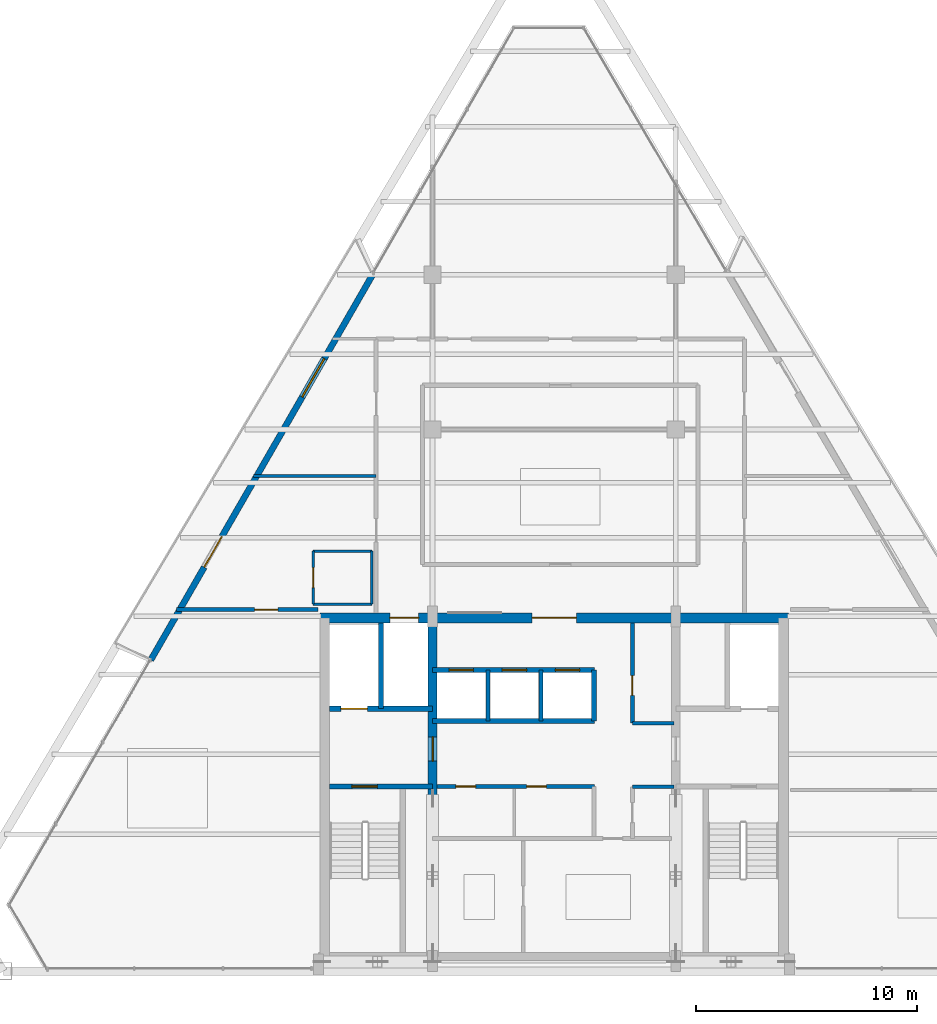
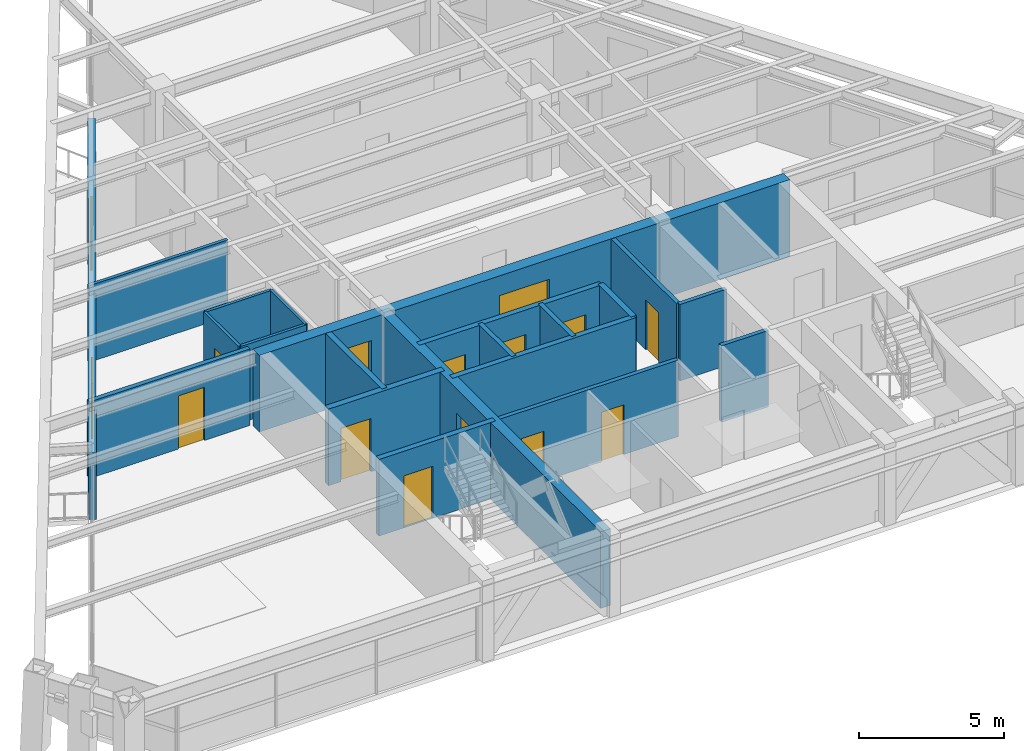
# One storey, part 9 of 13: 21 walls, 14 doors, 1 window, 15 openings.
"""IFC4 building model written with IfcOpenShell, lengths in metres."""

from ifc_helpers import new_model, si_unit, direction, frame, frame_2d, origin, place, context, subcontext, project, spatial, rectangle, extrude, source, transform, mapped, material, layer, layer_set, type_object, type_shapes, element, fill, save


model = new_model("IFC4")

# Units and contexts
model_context = context("Model", 3, precision=1e-05, world=origin(), true_north=direction((0.0, 1.0)))
body_context = subcontext(model_context, "Body", "Model", "MODEL_VIEW")
ifc_project = project(units=[si_unit("LENGTHUNIT", "METRE"), si_unit("AREAUNIT", "SQUARE_METRE"), si_unit("VOLUMEUNIT", "CUBIC_METRE"), si_unit("PLANEANGLEUNIT", "RADIAN"), si_unit("MASSUNIT", "GRAM", prefix="KILO")], contexts=[model_context])

# Site, building, storey
site_placement = place(None, origin())
site = spatial("IfcSite", under=ifc_project, at=site_placement, CompositionType="ELEMENT")
building_placement = place(site_placement, origin())
building = spatial("IfcBuilding", under=site, at=building_placement, Name="Varnakhor Terracotta Tower", CompositionType="ELEMENT")
storey_placement = place(building_placement, frame((0.0, 0.0, 283.35009765625)))
storey = spatial("IfcBuildingStorey", under=building, at=storey_placement, Name="L74", CompositionType="ELEMENT", Elevation=283.35009765625)

# Walls
ifc_material_1 = material(Name="Moisture-Resistant Tile-Backed Partition", Category="gypsum")
ifc_layer_1 = layer(ifc_material_1, 0.114990234375, Name="Moisture-Resistant Tile-Backed Partition")
ifc_layer_set_1 = layer_set([ifc_layer_1], Name="Moisture-Resistant Tile-Backed Partition")
wall_type_1 = type_object("IfcWallType", Name="WAL-BATH-115", PredefinedType="PARTITIONING", material=ifc_layer_set_1)
for number, where, z_axis, x_axis, name in (
    (1, (-10.89990234375, 16.60009765625, 0.0), (0.0, 0.0, 1.0), (1.0, 0.0, 0.0), "L74 En-Suite 1 Wall S"),
    (2, (-10.89990234375, 19.0, 0.0), (0.0, 0.0, 1.0), (1.0, 0.0, 0.0), "L74 En-Suite 1 Wall N"),
):
    element("IfcWall", number, at=place(storey_placement, frame(where, z_axis=z_axis, x_axis=x_axis)), inside=storey, type_object=wall_type_1, Name=name, PredefinedType="PARTITIONING", context=body_context, shape_type="SweptSolid", body=[
        extrude(rectangle(XDim=2.64990234375, YDim=0.114990234375, at=frame_2d((1.324951171875, 0.0))), origin(), (0.0, 0.0, 1.0), 3.23193359375),
    ])

# Wall, opening, door
wall_1_placement = place(storey_placement, frame((-10.89990234375, 16.60009765625, 0.0), z_axis=(0.0, 0.0, 1.0), x_axis=(0.0, 1.0, 0.0)))
wall_1 = element("IfcWall", 3, at=wall_1_placement, inside=storey, type_object=wall_type_1, Name="L74 En-Suite 1 Wall W", PredefinedType="PARTITIONING", context=body_context, shape_type="SweptSolid", body=[
    extrude(rectangle(XDim=2.39990234375, YDim=0.114990234375, at=frame_2d((1.199951171875, 0.0))), origin(), (0.0, 0.0, 1.0), 3.23193359375),
])
opening_1_placement = place(wall_1_placement, frame((0.75, 0.0, 0.0)))
opening_1 = element("IfcOpeningElement", 4, at=opening_1_placement, cuts=wall_1, Name="Opening DR-93", PredefinedType="OPENING", context=body_context, shape_type="SweptSolid", body=[
    extrude(rectangle(XDim=0.89990234375, YDim=2.14990234375, at=frame_2d((0.449951171875, 1.074951171875))), frame((0.0, 0.0673828125, 0.0), z_axis=(0.0, -1.0, 0.0), x_axis=(1.0, 0.0, 0.0)), (0.0, 0.0, 1.0), 0.135009765625),
])
ifc_material_2 = material(Name="Moisture-Resistant Accessible Bathroom Door", Category="wood")
door_type_1 = type_object("IfcDoorType", Name="DR-BATH-900X2150", OperationType="NOTDEFINED", PredefinedType="DOOR", material=ifc_material_2)
shared_shape_1 = source(origin(), body_context, "Body", "SweptSolid", [
    extrude(rectangle(XDim=0.89990234375, YDim=2.14990234375, at=frame_2d((0.449951171875, 1.074951171875))), frame((0.0, 0.02490234375, 0.0), z_axis=(0.0, -1.0, 0.0), x_axis=(1.0, 0.0, 0.0)), (0.0, 0.0, 1.0), 0.050048828125),
])
type_shapes(door_type_1, [shared_shape_1])
door_1_placement = place(opening_1_placement, origin())
door_1 = element("IfcDoor", 5, at=door_1_placement, inside=storey, type_object=door_type_1, Name="L74 En-Suite Bathroom 1 Door", OperationType="SINGLE_SWING_LEFT", OverallHeight=2.14990234375, OverallWidth=0.89990234375, PredefinedType="DOOR", context=body_context, shape_type="MappedRepresentation", body=[
    mapped(shared_shape_1, transform((0.0, 0.0, 0.0), scale=1.0)),
])
fill(opening_1, door_1)

# Wall
wall_2_placement = place(storey_placement, frame((-8.25, 16.60009765625, 0.0), z_axis=(0.0, 0.0, 1.0), x_axis=(0.0, 1.0, 0.0)))
element("IfcWall", 6, at=wall_2_placement, inside=storey, type_object=wall_type_1, Name="L74 En-Suite 1 Wall E", PredefinedType="PARTITIONING", context=body_context, shape_type="SweptSolid", body=[
    extrude(rectangle(XDim=2.39990234375, YDim=0.114990234375, at=frame_2d((1.199951171875, 0.0))), origin(), (0.0, 0.0, 1.0), 3.23193359375),
])

# Wall, openings, doors
ifc_material_3 = material(Name="Concrete C50/60", Category="concrete")
ifc_layer_2 = layer(ifc_material_3, 0.449951171875, Name="Concrete C50/60")
ifc_layer_set_2 = layer_set([ifc_layer_2], Name="Concrete C50/60")
wall_type_2 = type_object("IfcWallType", Name="WAL-CORE-450", PredefinedType="SHEAR", material=ifc_layer_set_2)
wall_3_placement = place(storey_placement, frame((-10.60009765625, 15.97509765625, 0.0), z_axis=(0.0, 0.0, 1.0), x_axis=(1.0, 0.0, 0.0)))
wall_3 = element("IfcWall", 7, at=wall_3_placement, inside=storey, type_object=wall_type_2, Name="L74 North Core Shear Wall", PredefinedType="SHEAR", context=body_context, shape_type="SweptSolid", body=[
    extrude(rectangle(XDim=21.2001953125, YDim=0.449951171875, at=frame_2d((10.60009765625, 0.0))), origin(), (0.0, 0.0, 1.0), 3.239990234375),
])
opening_2_placement = place(wall_3_placement, frame((3.169921875, 0.0, 0.0)))
opening_2 = element("IfcOpeningElement", 8, at=opening_2_placement, cuts=wall_3, Name="Opening LD-03", PredefinedType="OPENING", context=body_context, shape_type="SweptSolid", body=[
    extrude(rectangle(XDim=1.300048828125, YDim=2.300048828125, at=frame_2d((0.64990234375, 1.14990234375))), frame((0.0, 0.23486328125, 0.0), z_axis=(0.0, -1.0, 0.0), x_axis=(1.0, 0.0, 0.0)), (0.0, 0.0, 1.0), 0.469970703125),
])
opening_3_placement = place(wall_3_placement, frame((9.60009765625, 0.0, 0.0)))
opening_3 = element("IfcOpeningElement", 9, at=opening_3_placement, cuts=wall_3, Name="Opening DR-32", PredefinedType="OPENING", context=body_context, shape_type="SweptSolid", body=[
    extrude(rectangle(XDim=2.0, YDim=2.39990234375, at=frame_2d((1.0, 1.199951171875))), frame((0.0, 0.23486328125, 0.0), z_axis=(0.0, -1.0, 0.0), x_axis=(1.0, 0.0, 0.0)), (0.0, 0.0, 1.0), 0.469970703125),
])
ifc_material_4 = material(Name="Heavy-Duty Goods Sliding Lift Landing Door", Category="steel")
door_type_2 = type_object("IfcDoorType", Name="LD-SRV-1300X2300", OperationType="NOTDEFINED", PredefinedType="DOOR", material=ifc_material_4)
shared_shape_2 = source(origin(), body_context, "Body", "SweptSolid", [
    extrude(rectangle(XDim=1.300048828125, YDim=2.300048828125, at=frame_2d((0.64990234375, 1.14990234375))), frame((0.0, 0.02490234375, 0.0), z_axis=(0.0, -1.0, 0.0), x_axis=(1.0, 0.0, 0.0)), (0.0, 0.0, 1.0), 0.050048828125),
])
type_shapes(door_type_2, [shared_shape_2])
door_2_placement = place(opening_2_placement, origin())
door_2 = element("IfcDoor", 10, at=door_2_placement, inside=storey, type_object=door_type_2, Name="L74 Service Lift SVL-1 Landing Door", OperationType="SLIDING_TO_RIGHT", OverallHeight=2.300048828125, OverallWidth=1.300048828125, PredefinedType="DOOR", context=body_context, shape_type="MappedRepresentation", body=[
    mapped(shared_shape_2, transform((0.0, 0.0, 0.0), scale=1.0)),
])
fill(opening_2, door_2)
ifc_material_5 = material(Name="Acoustic Double Assembly Fire Door", Category="wood")
door_type_3 = type_object("IfcDoorType", Name="DR-HALL-2000X2400", OperationType="NOTDEFINED", PredefinedType="DOOR", material=ifc_material_5)
shared_shape_3 = source(origin(), body_context, "Body", "SweptSolid", [
    extrude(rectangle(XDim=2.0, YDim=2.39990234375, at=frame_2d((1.0, 1.199951171875))), frame((0.0, 0.02490234375, 0.0), z_axis=(0.0, -1.0, 0.0), x_axis=(1.0, 0.0, 0.0)), (0.0, 0.0, 1.0), 0.050048828125),
])
type_shapes(door_type_3, [shared_shape_3])
door_3_placement = place(opening_3_placement, origin())
door_3 = element("IfcDoor", 11, at=door_3_placement, inside=storey, type_object=door_type_3, Name="L74 Core Main Lobby Double Door", OperationType="DOUBLE_DOOR_SINGLE_SWING", OverallHeight=2.39990234375, OverallWidth=2.0, PredefinedType="DOOR", context=body_context, shape_type="MappedRepresentation", body=[
    mapped(shared_shape_3, transform((0.0, 0.0, 0.0), scale=1.0)),
])
fill(opening_3, door_3)

# Wall, opening, door
ifc_layer_3 = layer(ifc_material_3, 0.39990234375, Name="Concrete C50/60")
ifc_layer_set_3 = layer_set([ifc_layer_3], Name="Concrete C50/60")
wall_type_3 = type_object("IfcWallType", Name="WAL-CORE-WEB-400", PredefinedType="SHEAR", material=ifc_layer_set_3)
wall_4_placement = place(storey_placement, frame((-5.5, 0.625, 0.0), z_axis=(0.0, 0.0, 1.0), x_axis=(0.0, 1.0, 0.0)))
wall_4 = element("IfcWall", 12, at=wall_4_placement, inside=storey, type_object=wall_type_3, Name="L74 West Core Web Shear Wall", PredefinedType="SHEAR", context=body_context, shape_type="SweptSolid", body=[
    extrude(rectangle(XDim=15.35009765625, YDim=0.39990234375, at=frame_2d((7.675048828125, 0.0))), origin(), (0.0, 0.0, 1.0), 3.239990234375),
])
opening_4_placement = place(wall_4_placement, frame((8.875, 0.0, 0.0)))
opening_4 = element("IfcOpeningElement", 13, at=opening_4_placement, cuts=wall_4, Name="Opening DR-25", PredefinedType="OPENING", context=body_context, shape_type="SweptSolid", body=[
    extrude(rectangle(XDim=1.10009765625, YDim=2.199951171875, at=frame_2d((0.550048828125, 1.10009765625))), frame((0.0, 0.2099609375, 0.0), z_axis=(0.0, -1.0, 0.0), x_axis=(1.0, 0.0, 0.0)), (0.0, 0.0, 1.0), 0.419921875),
])
ifc_material_6 = material(Name="Firefighting Lobby Self-Closing Fire Door", Category="steel")
door_type_4 = type_object("IfcDoorType", Name="DR-FFL-1100X2200", OperationType="NOTDEFINED", PredefinedType="DOOR", material=ifc_material_6)
shared_shape_4 = source(origin(), body_context, "Body", "SweptSolid", [
    extrude(rectangle(XDim=1.10009765625, YDim=2.199951171875, at=frame_2d((0.550048828125, 1.10009765625))), frame((0.0, 0.02490234375, 0.0), z_axis=(0.0, -1.0, 0.0), x_axis=(1.0, 0.0, 0.0)), (0.0, 0.0, 1.0), 0.050048828125),
])
type_shapes(door_type_4, [shared_shape_4])
door_4_placement = place(opening_4_placement, origin())
door_4 = element("IfcDoor", 14, at=door_4_placement, inside=storey, type_object=door_type_4, Name="L74 West Firefighting Lobby Door", OperationType="SINGLE_SWING_RIGHT", OverallHeight=2.199951171875, OverallWidth=1.10009765625, PredefinedType="DOOR", context=body_context, shape_type="MappedRepresentation", body=[
    mapped(shared_shape_4, transform((0.0, 0.0, 0.0), scale=1.0)),
])
fill(opening_4, door_4)

ifc_material_7 = material(Name="Fire-Rated Gypsum Stud Partition", Category="gypsum")
ifc_layer_4 = layer(ifc_material_7, 0.18505859375, Name="Fire-Rated Gypsum Stud Partition")
ifc_layer_set_4 = layer_set([ifc_layer_4], Name="Fire-Rated Gypsum Stud Partition")
wall_type_4 = type_object("IfcWallType", Name="WAL-CORR-185", PredefinedType="PARTITIONING", material=ifc_layer_set_4)
wall_5_placement = place(storey_placement, frame((-17.08251953125, 16.35009765625, 0.0), z_axis=(0.0, 0.0, 1.0), x_axis=(1.0, 0.0, 0.0)))
wall_5 = element("IfcWall", 15, at=wall_5_placement, inside=storey, type_object=wall_type_4, Name="L74 South West Guest Entry Wall", PredefinedType="PARTITIONING", context=body_context, shape_type="SweptSolid", body=[
    extrude(rectangle(XDim=6.402587890625, YDim=0.18505859375, at=frame_2d((3.201171875, 0.0))), origin(), (0.0, 0.0, 1.0), 3.23193359375),
])
opening_5_placement = place(wall_5_placement, frame((3.53466796875, 0.0, 0.0)))
opening_5 = element("IfcOpeningElement", 16, at=opening_5_placement, cuts=wall_5, Name="Opening DR-95", PredefinedType="OPENING", context=body_context, shape_type="SweptSolid", body=[
    extrude(rectangle(XDim=1.050048828125, YDim=2.25, at=frame_2d((0.52490234375, 1.125))), frame((0.0, 0.1025390625, 0.0), z_axis=(0.0, -1.0, 0.0), x_axis=(1.0, 0.0, 0.0)), (0.0, 0.0, 1.0), 0.205078125),
])
ifc_material_8 = material(Name="Solid-Core Timber Tenant/Hotel Entrance Door", Category="wood")
door_type_5 = type_object("IfcDoorType", Name="DR-SUITE-1050X2250", OperationType="NOTDEFINED", PredefinedType="DOOR", material=ifc_material_8)
shared_shape_5 = source(origin(), body_context, "Body", "SweptSolid", [
    extrude(rectangle(XDim=1.050048828125, YDim=2.25, at=frame_2d((0.52490234375, 1.125))), frame((0.0, 0.02490234375, 0.0), z_axis=(0.0, -1.0, 0.0), x_axis=(1.0, 0.0, 0.0)), (0.0, 0.0, 1.0), 0.050048828125),
])
type_shapes(door_type_5, [shared_shape_5])
door_5_placement = place(opening_5_placement, origin())
door_5 = element("IfcDoor", 17, at=door_5_placement, inside=storey, type_object=door_type_5, Name="L74 SW Suite Entry Door", OperationType="SINGLE_SWING_LEFT", OverallHeight=2.25, OverallWidth=1.050048828125, PredefinedType="DOOR", context=body_context, shape_type="MappedRepresentation", body=[
    mapped(shared_shape_5, transform((0.0, 0.0, 0.0), scale=1.0)),
])
fill(opening_5, door_5)

# Wall, openings, door, window
ifc_material_9 = material(Name="Extruded Architectural Terracotta Assembly", Category="masonry")
ifc_layer_5 = layer(ifc_material_9, 0.280029296875, Name="Extruded Architectural Terracotta Assembly")
ifc_layer_set_5 = layer_set([ifc_layer_5], Name="Extruded Architectural Terracotta Assembly")
wall_type_5 = type_object("IfcWallType", Name="WAL-EXT-TERRACOTTA-280", PredefinedType="SOLIDWALL", material=ifc_layer_set_5)
wall_6_placement = place(storey_placement, frame((-18.24462890625, 14.071533203125, 0.0), z_axis=(0.0, 0.0, 1.0), x_axis=(0.499006273731, 0.866598372244, 0.0)))
wall_6 = element("IfcWall", 18, at=wall_6_placement, inside=storey, type_object=wall_type_5, Name="L74 W Loggia Insulated Terracotta Wall", PredefinedType="SOLIDWALL", context=body_context, shape_type="SweptSolid", body=[
    extrude(rectangle(XDim=20.1904296875, YDim=0.280029296875, at=frame_2d((10.09521484375, 0.0))), origin(), (0.0, 0.0, 1.0), 2.81982421875),
])
opening_6_placement = place(wall_6_placement, frame((4.845703125, 0.0, 0.0)))
opening_6 = element("IfcOpeningElement", 19, at=opening_6_placement, cuts=wall_6, Name="Opening DR-62", PredefinedType="OPENING", context=body_context, shape_type="SweptSolid", body=[
    extrude(rectangle(XDim=1.60009765625, YDim=2.35009765625, at=frame_2d((0.800048828125, 1.175048828125))), frame((0.0, 0.14990234375, 0.0), z_axis=(0.0, -1.0, 0.0), x_axis=(1.0, 0.0, 0.0)), (0.0, 0.0, 1.0), 0.300048828125),
])
opening_7_placement = place(wall_6_placement, frame((13.7294921875, 0.0, 0.89990234375)))
opening_7 = element("IfcOpeningElement", 20, at=opening_7_placement, cuts=wall_6, Name="Opening WN-63", PredefinedType="OPENING", context=body_context, shape_type="SweptSolid", body=[
    extrude(rectangle(XDim=2.0, YDim=1.75, at=frame_2d((1.0, 0.875))), frame((0.0, 0.14990234375, 0.0), z_axis=(0.0, -1.0, 0.0), x_axis=(1.0, 0.0, 0.0)), (0.0, 0.0, 1.0), 0.300048828125),
])
ifc_material_10 = material(Name="Thermally Broken Sliding Glass Loggia Door", Category="glass")
door_type_6 = type_object("IfcDoorType", Name="DR-EXT-LOGGIA-1600X2350", OperationType="NOTDEFINED", PredefinedType="DOOR", material=ifc_material_10)
shared_shape_6 = source(origin(), body_context, "Body", "SweptSolid", [
    extrude(rectangle(XDim=1.60009765625, YDim=2.35009765625, at=frame_2d((0.800048828125, 1.175048828125))), frame((0.0, 0.02490234375, 0.0), z_axis=(0.0, -1.0, 0.0), x_axis=(1.0, 0.0, 0.0)), (0.0, 0.0, 1.0), 0.050048828125),
])
type_shapes(door_type_6, [shared_shape_6])
door_6_placement = place(opening_6_placement, origin())
door_6 = element("IfcDoor", 21, at=door_6_placement, inside=storey, type_object=door_type_6, Name="L74 W Recessed Loggia Sliding Door", OperationType="SLIDING_TO_LEFT", OverallHeight=2.35009765625, OverallWidth=1.60009765625, PredefinedType="DOOR", context=body_context, shape_type="MappedRepresentation", body=[
    mapped(shared_shape_6, transform((0.0, 0.0, 0.0), scale=1.0)),
])
fill(opening_6, door_6)
ifc_material_11 = material(Name="Solar-Control Low-E Insulated Glass Unit", Category="glass")
window_type = type_object("IfcWindowType", Name="WIN-HTL-2000X1950", PartitioningType="SINGLE_PANEL", PredefinedType="WINDOW", material=ifc_material_11)
shared_shape_7 = source(origin(), body_context, "Body", "SweptSolid", [
    extrude(rectangle(XDim=2.0, YDim=1.75, at=frame_2d((1.0, 0.875))), frame((0.0, 0.030029296875, 0.0), z_axis=(0.0, -1.0, 0.0), x_axis=(1.0, 0.0, 0.0)), (0.0, 0.0, 1.0), 0.06005859375),
])
type_shapes(window_type, [shared_shape_7])
window_placement = place(opening_7_placement, origin())
window = element("IfcWindow", 22, at=window_placement, inside=storey, type_object=window_type, Name="L74 W Facet Punched Window", OverallHeight=1.75, OverallWidth=2.0, PartitioningType="SINGLE_PANEL", PredefinedType="WINDOW", context=body_context, shape_type="MappedRepresentation", body=[
    mapped(shared_shape_7, transform((0.0, 0.0, 0.0), scale=1.0)),
])
fill(opening_7, window)

# Wall, opening, door
ifc_material_12 = material(Name="Concrete C40/50", Category="concrete")
ifc_layer_6 = layer(ifc_material_12, 0.219970703125, Name="Concrete C40/50")
ifc_layer_set_6 = layer_set([ifc_layer_6], Name="Concrete C40/50")
wall_type_6 = type_object("IfcWallType", Name="WAL-FFLOBBY-220", PredefinedType="SOLIDWALL", material=ifc_layer_set_6)
wall_7_placement = place(storey_placement, frame((-5.5, 8.35009765625, 0.0), z_axis=(0.0, 0.0, 1.0), x_axis=(-1.0, 0.0, 0.0)))
wall_7 = element("IfcWall", 23, at=wall_7_placement, inside=storey, type_object=wall_type_6, Name="L74 West Firefighting Lobby Stair Wall", PredefinedType="SOLIDWALL", context=body_context, shape_type="SweptSolid", body=[
    extrude(rectangle(XDim=4.64990234375, YDim=0.219970703125, at=frame_2d((2.324951171875, 0.0))), origin(), (0.0, 0.0, 1.0), 3.239990234375),
])
opening_8_placement = place(wall_7_placement, frame((2.5, 0.0, 0.0)))
opening_8 = element("IfcOpeningElement", 24, at=opening_8_placement, cuts=wall_7, Name="Opening DR-34", PredefinedType="OPENING", context=body_context, shape_type="SweptSolid", body=[
    extrude(rectangle(XDim=1.14990234375, YDim=2.199951171875, at=frame_2d((0.574951171875, 1.10009765625))), frame((0.0, 0.1201171875, 0.0), z_axis=(0.0, -1.0, 0.0), x_axis=(1.0, 0.0, 0.0)), (0.0, 0.0, 1.0), 0.239990234375),
])
ifc_material_13 = material(Name="Self-Closing Smoke-Sealed Steel Fire Door", Category="steel")
door_type_7 = type_object("IfcDoorType", Name="DR-STAIR-1150X2200", OperationType="NOTDEFINED", PredefinedType="DOOR", material=ifc_material_13)
shared_shape_8 = source(origin(), body_context, "Body", "SweptSolid", [
    extrude(rectangle(XDim=1.14990234375, YDim=2.199951171875, at=frame_2d((0.574951171875, 1.10009765625))), frame((0.0, 0.02490234375, 0.0), z_axis=(0.0, -1.0, 0.0), x_axis=(1.0, 0.0, 0.0)), (0.0, 0.0, 1.0), 0.050048828125),
])
type_shapes(door_type_7, [shared_shape_8])
door_7_placement = place(opening_8_placement, origin())
door_7 = element("IfcDoor", 25, at=door_7_placement, inside=storey, type_object=door_type_7, Name="L74 Exit Stair ST-1 Fire Door", OperationType="SINGLE_SWING_LEFT", OverallHeight=2.199951171875, OverallWidth=1.14990234375, PredefinedType="DOOR", context=body_context, shape_type="MappedRepresentation", body=[
    mapped(shared_shape_8, transform((0.0, 0.0, 0.0), scale=1.0)),
])
fill(opening_8, door_7)

# Walls
ifc_material_14 = material(Name="Acoustic Hotel Room Partition", Category="gypsum")
ifc_layer_7 = layer(ifc_material_14, 0.1298828125, Name="Acoustic Hotel Room Partition")
ifc_layer_set_7 = layer_set([ifc_layer_7], Name="Acoustic Hotel Room Partition")
wall_type_7 = type_object("IfcWallType", Name="WAL-PART-130", PredefinedType="PARTITIONING", material=ifc_layer_set_7)
wall_8_placement = place(storey_placement, frame((-13.598876953125, 22.39990234375, 0.0), z_axis=(0.0, 0.0, 1.0), x_axis=(1.0, 0.0, 0.0)))
element("IfcWall", 26, at=wall_8_placement, inside=storey, type_object=wall_type_7, Name="L74 West Key Cut 1", PredefinedType="PARTITIONING", context=body_context, shape_type="SweptSolid", body=[
    extrude(rectangle(XDim=5.548828125, YDim=0.1298828125, at=frame_2d((2.7744140625, 0.0))), origin(), (0.0, 0.0, 1.0), 3.23193359375),
])
ifc_layer_8 = layer(ifc_material_12, 0.179931640625, Name="Concrete C40/50")
ifc_layer_set_8 = layer_set([ifc_layer_8], Name="Concrete C40/50")
wall_type_8 = type_object("IfcWallType", Name="WAL-SHAFT-180", PredefinedType="SOLIDWALL", material=ifc_layer_set_8)
for number, where, z_axis, x_axis, name in (
    (27, (-3.0, 11.320068359375, 0.0), (0.0, 0.0, 1.0), (0.0, 1.0, 0.0), "L74 PL-3A Divider"),
    (28, (-0.60009765625, 11.320068359375, 0.0), (0.0, 0.0, 1.0), (0.0, 1.0, 0.0), "L74 PL-3B Divider"),
):
    element("IfcWall", number, at=place(storey_placement, frame(where, z_axis=z_axis, x_axis=x_axis)), inside=storey, type_object=wall_type_8, Name=name, PredefinedType="SOLIDWALL", context=body_context, shape_type="SweptSolid", body=[
        extrude(rectangle(XDim=2.300048828125, YDim=0.179931640625, at=frame_2d((1.14990234375, 0.0))), origin(), (0.0, 0.0, 1.0), 3.239990234375),
    ])
ifc_layer_9 = layer(ifc_material_12, 0.219970703125, Name="Concrete C40/50")
ifc_layer_set_9 = layer_set([ifc_layer_9], Name="Concrete C40/50")
wall_type_9 = type_object("IfcWallType", Name="WAL-SHAFT-220", PredefinedType="SOLIDWALL", material=ifc_layer_set_9)
wall_9_placement = place(storey_placement, frame((-7.840087890625, 11.8701171875, 0.0), z_axis=(0.0, 0.0, 1.0), x_axis=(0.0, 1.0, 0.0)))
element("IfcWall", 29, at=wall_9_placement, inside=storey, type_object=wall_type_9, Name="L74 Lift FFL-1 and SVL-1 Divider Wall", PredefinedType="SOLIDWALL", context=body_context, shape_type="SweptSolid", body=[
    extrude(rectangle(XDim=3.8798828125, YDim=0.219970703125, at=frame_2d((1.93994140625, 0.0))), origin(), (0.0, 0.0, 1.0), 3.239990234375),
])
wall_10_placement = place(storey_placement, frame((-5.5, 11.320068359375, 0.0), z_axis=(0.0, 0.0, 1.0), x_axis=(1.0, 0.0, 0.0)))
element("IfcWall", 30, at=wall_10_placement, inside=storey, type_object=wall_type_9, Name="L74 Bank 3 South Shaft Wall", PredefinedType="SOLIDWALL", context=body_context, shape_type="SweptSolid", body=[
    extrude(rectangle(XDim=7.320068359375, YDim=0.219970703125, at=frame_2d((3.66015625, 0.0))), origin(), (0.0, 0.0, 1.0), 3.239990234375),
])

# Wall, openings, doors
wall_11_placement = place(storey_placement, frame((-5.5, 13.6201171875, 0.0), z_axis=(0.0, 0.0, 1.0), x_axis=(1.0, 0.0, 0.0)))
wall_11 = element("IfcWall", 31, at=wall_11_placement, inside=storey, type_object=wall_type_9, Name="L74 Bank 3 North Shaft Wall", PredefinedType="SOLIDWALL", context=body_context, shape_type="SweptSolid", body=[
    extrude(rectangle(XDim=7.320068359375, YDim=0.219970703125, at=frame_2d((3.66015625, 0.0))), origin(), (0.0, 0.0, 1.0), 3.239990234375),
])
opening_9_placement = place(wall_11_placement, frame((0.75, 0.0, 0.0)))
opening_9 = element("IfcOpeningElement", 32, at=opening_9_placement, cuts=wall_11, Name="Opening LD-01", PredefinedType="OPENING", context=body_context, shape_type="SweptSolid", body=[
    extrude(rectangle(XDim=1.10009765625, YDim=2.199951171875, at=frame_2d((0.550048828125, 1.10009765625))), frame((0.0, 0.1201171875, 0.0), z_axis=(0.0, -1.0, 0.0), x_axis=(1.0, 0.0, 0.0)), (0.0, 0.0, 1.0), 0.239990234375),
])
opening_10_placement = place(wall_11_placement, frame((3.14990234375, 0.0, 0.0)))
opening_10 = element("IfcOpeningElement", 33, at=opening_10_placement, cuts=wall_11, Name="Opening LD-01", PredefinedType="OPENING", context=body_context, shape_type="SweptSolid", body=[
    extrude(rectangle(XDim=1.10009765625, YDim=2.199951171875, at=frame_2d((0.550048828125, 1.10009765625))), frame((0.0, 0.1201171875, 0.0), z_axis=(0.0, -1.0, 0.0), x_axis=(1.0, 0.0, 0.0)), (0.0, 0.0, 1.0), 0.239990234375),
])
opening_11_placement = place(wall_11_placement, frame((5.550048828125, 0.0, 0.0)))
opening_11 = element("IfcOpeningElement", 34, at=opening_11_placement, cuts=wall_11, Name="Opening LD-01", PredefinedType="OPENING", context=body_context, shape_type="SweptSolid", body=[
    extrude(rectangle(XDim=1.10009765625, YDim=2.199951171875, at=frame_2d((0.550048828125, 1.10009765625))), frame((0.0, 0.1201171875, 0.0), z_axis=(0.0, -1.0, 0.0), x_axis=(1.0, 0.0, 0.0)), (0.0, 0.0, 1.0), 0.239990234375),
])
ifc_material_15 = material(Name="Brushed Stainless Steel Sliding Lift Landing Door", Category="steel")
door_type_8 = type_object("IfcDoorType", Name="LD-PASS-1100X2200", OperationType="NOTDEFINED", PredefinedType="DOOR", material=ifc_material_15)
shared_shape_9 = source(origin(), body_context, "Body", "SweptSolid", [
    extrude(rectangle(XDim=1.10009765625, YDim=2.199951171875, at=frame_2d((0.550048828125, 1.10009765625))), frame((0.0, 0.02490234375, 0.0), z_axis=(0.0, -1.0, 0.0), x_axis=(1.0, 0.0, 0.0)), (0.0, 0.0, 1.0), 0.050048828125),
])
type_shapes(door_type_8, [shared_shape_9])
door_8_placement = place(opening_9_placement, origin())
door_8 = element("IfcDoor", 35, at=door_8_placement, inside=storey, type_object=door_type_8, Name="L74 Passenger Lift PL-3A Landing Door", OperationType="SLIDING_TO_RIGHT", OverallHeight=2.199951171875, OverallWidth=1.10009765625, PredefinedType="DOOR", context=body_context, shape_type="MappedRepresentation", body=[
    mapped(shared_shape_9, transform((0.0, 0.0, 0.0), scale=1.0)),
])
fill(opening_9, door_8)
door_9_placement = place(opening_10_placement, origin())
door_9 = element("IfcDoor", 36, at=door_9_placement, inside=storey, type_object=door_type_8, Name="L74 Passenger Lift PL-3B Landing Door", OperationType="SLIDING_TO_RIGHT", OverallHeight=2.199951171875, OverallWidth=1.10009765625, PredefinedType="DOOR", context=body_context, shape_type="MappedRepresentation", body=[
    mapped(shared_shape_9, transform((0.0, 0.0, 0.0), scale=1.0)),
])
fill(opening_10, door_9)
door_10_placement = place(opening_11_placement, origin())
door_10 = element("IfcDoor", 37, at=door_10_placement, inside=storey, type_object=door_type_8, Name="L74 Passenger Lift PL-3C Landing Door", OperationType="SLIDING_TO_RIGHT", OverallHeight=2.199951171875, OverallWidth=1.10009765625, PredefinedType="DOOR", context=body_context, shape_type="MappedRepresentation", body=[
    mapped(shared_shape_9, transform((0.0, 0.0, 0.0), scale=1.0)),
])
fill(opening_11, door_10)

# Wall
wall_12_placement = place(storey_placement, frame((1.800048828125, 11.320068359375, 0.0), z_axis=(0.0, 0.0, 1.0), x_axis=(0.0, 1.0, 0.0)))
element("IfcWall", 38, at=wall_12_placement, inside=storey, type_object=wall_type_9, Name="L74 Bank 3 East Shaft Wall", PredefinedType="SOLIDWALL", context=body_context, shape_type="SweptSolid", body=[
    extrude(rectangle(XDim=2.300048828125, YDim=0.219970703125, at=frame_2d((1.14990234375, 0.0))), origin(), (0.0, 0.0, 1.0), 3.239990234375),
])

# Wall, opening, door
ifc_layer_10 = layer(ifc_material_12, 0.25, Name="Concrete C40/50")
ifc_layer_set_10 = layer_set([ifc_layer_10], Name="Concrete C40/50")
wall_type_10 = type_object("IfcWallType", Name="WAL-SHAFT-250", PredefinedType="SOLIDWALL", material=ifc_layer_set_10)
wall_13_placement = place(storey_placement, frame((-5.5, 11.8701171875, 0.0), z_axis=(0.0, 0.0, 1.0), x_axis=(-1.0, 0.0, 0.0)))
wall_13 = element("IfcWall", 39, at=wall_13_placement, inside=storey, type_object=wall_type_10, Name="L74 Lift FFL-1 Shaft Front Wall", PredefinedType="SOLIDWALL", context=body_context, shape_type="SweptSolid", body=[
    extrude(rectangle(XDim=4.64990234375, YDim=0.25, at=frame_2d((2.324951171875, 0.0))), origin(), (0.0, 0.0, 1.0), 3.239990234375),
])
opening_12_placement = place(wall_13_placement, frame((2.949951171875, 0.0, 0.0)))
opening_12 = element("IfcOpeningElement", 40, at=opening_12_placement, cuts=wall_13, Name="Opening LD-02", PredefinedType="OPENING", context=body_context, shape_type="SweptSolid", body=[
    extrude(rectangle(XDim=1.199951171875, YDim=2.25, at=frame_2d((0.60009765625, 1.125))), frame((0.0, 0.135009765625, 0.0), z_axis=(0.0, -1.0, 0.0), x_axis=(1.0, 0.0, 0.0)), (0.0, 0.0, 1.0), 0.27001953125),
])
ifc_material_16 = material(Name="Firefighting Stretcher Sliding Lift Landing Door", Category="steel")
door_type_9 = type_object("IfcDoorType", Name="LD-FFL-1200X2250", OperationType="NOTDEFINED", PredefinedType="DOOR", material=ifc_material_16)
shared_shape_10 = source(origin(), body_context, "Body", "SweptSolid", [
    extrude(rectangle(XDim=1.199951171875, YDim=2.25, at=frame_2d((0.60009765625, 1.125))), frame((0.0, 0.02490234375, 0.0), z_axis=(0.0, -1.0, 0.0), x_axis=(1.0, 0.0, 0.0)), (0.0, 0.0, 1.0), 0.050048828125),
])
type_shapes(door_type_9, [shared_shape_10])
door_11_placement = place(opening_12_placement, origin())
door_11 = element("IfcDoor", 41, at=door_11_placement, inside=storey, type_object=door_type_9, Name="L74 Firefighting Lift FFL-1 Landing Door", OperationType="SLIDING_TO_LEFT", OverallHeight=2.25, OverallWidth=1.199951171875, PredefinedType="DOOR", context=body_context, shape_type="MappedRepresentation", body=[
    mapped(shared_shape_10, transform((0.0, 0.0, 0.0), scale=1.0)),
])
fill(opening_12, door_11)

# Wall
ifc_material_17 = material(Name="Acoustic Fire-Rated Partition", Category="gypsum")
ifc_layer_11 = layer(ifc_material_17, 0.1650390625, Name="Acoustic Fire-Rated Partition")
ifc_layer_set_11 = layer_set([ifc_layer_11], Name="Acoustic Fire-Rated Partition")
wall_type_11 = type_object("IfcWallType", Name="WAL-TENANCY-165", PredefinedType="PARTITIONING", material=ifc_layer_set_11)
wall_14_placement = place(storey_placement, frame((3.5400390625, 8.340087890625, 0.0), z_axis=(0.0, 0.0, 1.0), x_axis=(1.0, 0.0, 0.0)))
element("IfcWall", 42, at=wall_14_placement, inside=storey, type_object=wall_type_11, Name="L74 Accessible WC North Wall", PredefinedType="PARTITIONING", context=body_context, shape_type="SweptSolid", body=[
    extrude(rectangle(XDim=1.8798828125, YDim=0.1650390625, at=frame_2d((0.93994140625, 0.0))), origin(), (0.0, 0.0, 1.0), 3.23193359375),
])

# Wall, openings, doors
wall_15_placement = place(storey_placement, frame((-5.300048828125, 8.35009765625, 0.0), z_axis=(0.0, 0.0, 1.0), x_axis=(1.0, 0.0, 0.0)))
wall_15 = element("IfcWall", 43, at=wall_15_placement, inside=storey, type_object=wall_type_11, Name="L74 Reclaimed Mid-Core North Wall", PredefinedType="PARTITIONING", context=body_context, shape_type="SweptSolid", body=[
    extrude(rectangle(XDim=7.1201171875, YDim=0.1650390625, at=frame_2d((3.56005859375, 0.0))), origin(), (0.0, 0.0, 1.0), 3.23193359375),
])
opening_13_placement = place(wall_15_placement, frame((0.85009765625, 0.0, 0.0)))
opening_13 = element("IfcOpeningElement", 44, at=opening_13_placement, cuts=wall_15, Name="Opening DR-67", PredefinedType="OPENING", context=body_context, shape_type="SweptSolid", body=[
    extrude(rectangle(XDim=0.89990234375, YDim=2.10009765625, at=frame_2d((0.449951171875, 1.050048828125))), frame((0.0, 0.092529296875, 0.0), z_axis=(0.0, -1.0, 0.0), x_axis=(1.0, 0.0, 0.0)), (0.0, 0.0, 1.0), 0.18505859375),
])
opening_14_placement = place(wall_15_placement, frame((4.050048828125, 0.0, 0.0)))
opening_14 = element("IfcOpeningElement", 45, at=opening_14_placement, cuts=wall_15, Name="Opening DR-67", PredefinedType="OPENING", context=body_context, shape_type="SweptSolid", body=[
    extrude(rectangle(XDim=0.89990234375, YDim=2.10009765625, at=frame_2d((0.449951171875, 1.050048828125))), frame((0.0, 0.092529296875, 0.0), z_axis=(0.0, -1.0, 0.0), x_axis=(1.0, 0.0, 0.0)), (0.0, 0.0, 1.0), 0.18505859375),
])
ifc_material_18 = material(Name="Steel Service Riser Fire Door", Category="steel")
door_type_10 = type_object("IfcDoorType", Name="DR-RISER-900X2100", OperationType="NOTDEFINED", PredefinedType="DOOR", material=ifc_material_18)
shared_shape_11 = source(origin(), body_context, "Body", "SweptSolid", [
    extrude(rectangle(XDim=0.89990234375, YDim=2.10009765625, at=frame_2d((0.449951171875, 1.050048828125))), frame((0.0, 0.02490234375, 0.0), z_axis=(0.0, -1.0, 0.0), x_axis=(1.0, 0.0, 0.0)), (0.0, 0.0, 1.0), 0.050048828125),
])
type_shapes(door_type_10, [shared_shape_11])
door_12_placement = place(opening_13_placement, origin())
door_12 = element("IfcDoor", 46, at=door_12_placement, inside=storey, type_object=door_type_10, Name="L74 Core West Restroom Door", OperationType="SINGLE_SWING_RIGHT", OverallHeight=2.10009765625, OverallWidth=0.89990234375, PredefinedType="DOOR", context=body_context, shape_type="MappedRepresentation", body=[
    mapped(shared_shape_11, transform((0.0, 0.0, 0.0), scale=1.0)),
])
fill(opening_13, door_12)
door_13_placement = place(opening_14_placement, origin())
door_13 = element("IfcDoor", 47, at=door_13_placement, inside=storey, type_object=door_type_10, Name="L74 Core East Restroom Door", OperationType="SINGLE_SWING_LEFT", OverallHeight=2.10009765625, OverallWidth=0.89990234375, PredefinedType="DOOR", context=body_context, shape_type="MappedRepresentation", body=[
    mapped(shared_shape_11, transform((0.0, 0.0, 0.0), scale=1.0)),
])
fill(opening_14, door_13)

# Wall, opening, door
wall_16_placement = place(storey_placement, frame((3.5400390625, 11.219970703125, 0.0), z_axis=(0.0, 0.0, 1.0), x_axis=(0.0, 1.0, 0.0)))
wall_16 = element("IfcWall", 48, at=wall_16_placement, inside=storey, type_object=wall_type_11, Name="L74 Restroom Corridor Wall", PredefinedType="PARTITIONING", context=body_context, shape_type="SweptSolid", body=[
    extrude(rectangle(XDim=4.530029296875, YDim=0.1650390625, at=frame_2d((2.26513671875, 0.0))), origin(), (0.0, 0.0, 1.0), 3.23193359375),
])
opening_15_placement = place(wall_16_placement, frame((1.25, 0.0, 0.0)))
opening_15 = element("IfcOpeningElement", 49, at=opening_15_placement, cuts=wall_16, Name="Opening DR-67", PredefinedType="OPENING", context=body_context, shape_type="SweptSolid", body=[
    extrude(rectangle(XDim=0.89990234375, YDim=2.10009765625, at=frame_2d((0.449951171875, 1.050048828125))), frame((0.0, 0.092529296875, 0.0), z_axis=(0.0, -1.0, 0.0), x_axis=(1.0, 0.0, 0.0)), (0.0, 0.0, 1.0), 0.18505859375),
])
door_14_placement = place(opening_15_placement, origin())
door_14 = element("IfcDoor", 50, at=door_14_placement, inside=storey, type_object=door_type_10, Name="L74 Female WC Door", OperationType="SINGLE_SWING_RIGHT", OverallHeight=2.10009765625, OverallWidth=0.89990234375, PredefinedType="DOOR", context=body_context, shape_type="MappedRepresentation", body=[
    mapped(shared_shape_11, transform((0.0, 0.0, 0.0), scale=1.0)),
])
fill(opening_15, door_14)

# Wall
wall_17_placement = place(storey_placement, frame((3.5400390625, 11.219970703125, 0.0), z_axis=(0.0, 0.0, 1.0), x_axis=(1.0, 0.0, 0.0)))
element("IfcWall", 51, at=wall_17_placement, inside=storey, type_object=wall_type_11, Name="L74 Restroom South Wall", PredefinedType="PARTITIONING", context=body_context, shape_type="SweptSolid", body=[
    extrude(rectangle(XDim=1.8798828125, YDim=0.1650390625, at=frame_2d((0.93994140625, 0.0))), origin(), (0.0, 0.0, 1.0), 3.23193359375),
])

save(model, "model.ifc")
